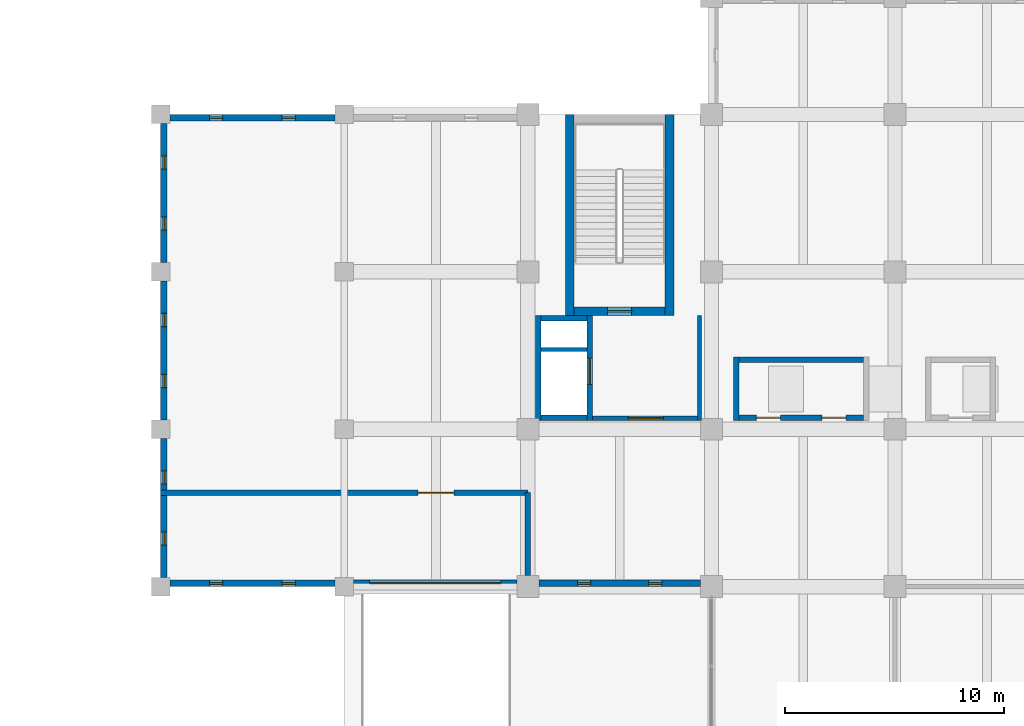
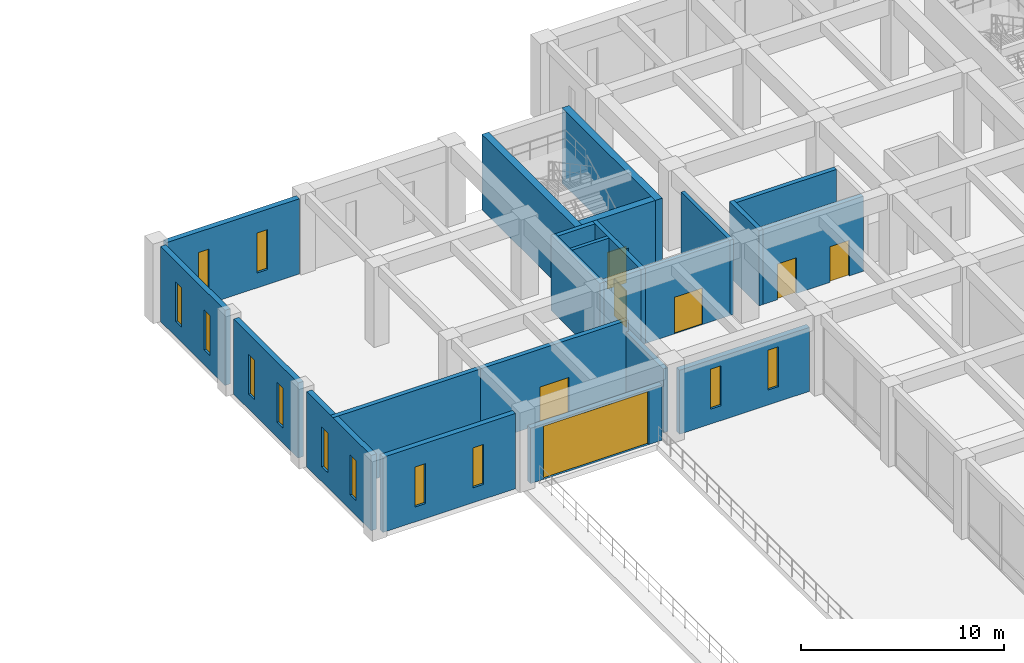
# One storey, part 29 of 49: 23 walls, 12 windows, 7 doors, 19 openings.
"""IFC4 building model written with IfcOpenShell, lengths in metres."""

from ifc_helpers import new_model, si_unit, direction, frame, frame_2d, origin, place, context, subcontext, project, spatial, rectangle, extrude, material, layer, layer_set, type_object, element, fill, save


model = new_model("IFC4")

# Units and contexts
model_context = context("Model", 3, precision=1e-05, world=origin(), true_north=direction((0.0, 1.0)))
body_context = subcontext(model_context, "Body", "Model", "MODEL_VIEW")
ifc_project = project(units=[si_unit("LENGTHUNIT", "METRE"), si_unit("AREAUNIT", "SQUARE_METRE"), si_unit("VOLUMEUNIT", "CUBIC_METRE"), si_unit("PLANEANGLEUNIT", "RADIAN"), si_unit("MASSUNIT", "GRAM", prefix="KILO")], contexts=[model_context])

# Site, building, storey
site_placement = place(None, origin())
site = spatial("IfcSite", under=ifc_project, at=site_placement, CompositionType="ELEMENT")
building_placement = place(site_placement, origin())
building = spatial("IfcBuilding", under=site, at=building_placement, Name="Kenerak Square Central Library", CompositionType="ELEMENT")
storey_placement = place(building_placement, origin())
storey = spatial("IfcBuildingStorey", under=building, at=storey_placement, Name="L00", CompositionType="ELEMENT", Elevation=0.0)

# Wall
ifc_material_1 = material(Name="Concrete C40/50", Category="concrete")
ifc_layer_1 = layer(ifc_material_1, 0.25)
ifc_layer_set_1 = layer_set([ifc_layer_1], Name="Concrete C40/50")
wall_type_1 = type_object("IfcWallType", Name="Archive Compartment Wall IW-250 C40/50", PredefinedType="SOLIDWALL", material=ifc_layer_set_1)
wall_1_placement = place(storey_placement, frame((41.60009765625, 93.10009765625, 0.0), z_axis=(0.0, 0.0, 1.0), x_axis=(1.0, 0.0, 0.0)))
element("IfcWall", 1, at=wall_1_placement, inside=storey, type_object=wall_type_1, Name="Interior Wall IW-L00-14-N2-B1", PredefinedType="SOLIDWALL", context=body_context, shape_type="SweptSolid", body=[
    extrude(rectangle(XDim=8.39990234375, YDim=0.25, at=frame_2d((4.199951171875, 0.0))), origin(), (0.0, 0.0, 1.0), 4.52490234375),
])

# Wall, opening, door
wall_2_placement = place(storey_placement, frame((50.0, 93.10009765625, 0.0), z_axis=(0.0, 0.0, 1.0), x_axis=(1.0, 0.0, 0.0)))
wall_2 = element("IfcWall", 2, at=wall_2_placement, inside=storey, type_object=wall_type_1, Name="Interior Wall IW-L00-14-N2-B2", PredefinedType="SOLIDWALL", context=body_context, shape_type="SweptSolid", body=[
    extrude(rectangle(XDim=8.39990234375, YDim=0.25, at=frame_2d((4.199951171875, 0.0))), origin(), (0.0, 0.0, 1.0), 4.52490234375),
])
opening_1_placement = place(wall_2_placement, frame((3.375, 0.0, 0.0)))
opening_1 = element("IfcOpeningElement", 3, at=opening_1_placement, cuts=wall_2, Name="Opening ID-08", PredefinedType="OPENING", context=body_context, shape_type="SweptSolid", body=[
    extrude(rectangle(XDim=1.64990234375, YDim=2.25, at=frame_2d((0.824951171875, 1.125))), frame((0.0, 0.135009765625, 0.0), z_axis=(0.0, -1.0, 0.0), x_axis=(1.0, 0.0, 0.0)), (0.0, 0.0, 1.0), 0.27001953125),
])
ifc_material_2 = material(Name="Steel S355", Category="steel")
door_type_1 = type_object("IfcDoorType", Name="Vault Fire Compartment Double Door ID-1650x2250 FD120S", OperationType="NOTDEFINED", PredefinedType="DOOR", material=ifc_material_2)
door_1_placement = place(opening_1_placement, origin())
door_1 = element("IfcDoor", 4, at=door_1_placement, inside=storey, type_object=door_type_1, Name="Ground Closed Reserve Book Stacks Door", OperationType="DOUBLE_DOOR_SINGLE_SWING", OverallHeight=2.25, OverallWidth=1.64990234375, PredefinedType="DOOR", context=body_context, shape_type="SweptSolid", body=[
    extrude(rectangle(XDim=1.64990234375, YDim=2.25, at=frame_2d((0.824951171875, 1.125))), frame((0.0, 0.02490234375, 0.0), z_axis=(0.0, -1.0, 0.0), x_axis=(1.0, 0.0, 0.0)), (0.0, 0.0, 1.0), 0.050048828125),
])
fill(opening_1, door_1)

# Wall
wall_3_placement = place(storey_placement, frame((58.39990234375, 93.10009765625, 0.0), z_axis=(0.0, 0.0, 1.0), x_axis=(0.0, -1.0, 0.0)))
element("IfcWall", 5, at=wall_3_placement, inside=storey, type_object=wall_type_1, Name="Interior Wall IW-L00-14-E4-B1", PredefinedType="SOLIDWALL", context=body_context, shape_type="SweptSolid", body=[
    extrude(rectangle(XDim=3.800048828125, YDim=0.25, at=frame_2d((1.89990234375, 0.0))), origin(), (0.0, 0.0, 1.0), 3.85009765625),
])

# Wall, openings, windows
ifc_layer_2 = layer(ifc_material_1, 0.300048828125)
ifc_layer_set_2 = layer_set([ifc_layer_2], Name="Concrete C40/50")
wall_type_2 = type_object("IfcWallType", Name="Board-Marked Brutalist Facade Wall EW-300 C40/50", PredefinedType="SOLIDWALL", material=ifc_layer_set_2)
wall_4_placement = place(storey_placement, frame((66.300048828125, 88.949951171875, 0.0), z_axis=(0.0, 0.0, 1.0), x_axis=(-1.0, 0.0, 0.0)))
wall_4 = element("IfcWall", 6, at=wall_4_placement, inside=storey, type_object=wall_type_2, Name="Exterior Facade Wall L00 0034", PredefinedType="SOLIDWALL", context=body_context, shape_type="SweptSolid", body=[
    extrude(rectangle(XDim=7.400146484375, YDim=0.300048828125, at=frame_2d((3.7001953125, 0.0))), origin(), (0.0, 0.0, 1.0), 3.85009765625),
])
opening_2_placement = place(wall_4_placement, frame((1.77197265625, 0.0, 0.89990234375)))
opening_2 = element("IfcOpeningElement", 7, at=opening_2_placement, cuts=wall_4, Name="Opening W-01", PredefinedType="OPENING", context=body_context, shape_type="SweptSolid", body=[
    extrude(rectangle(XDim=0.60009765625, YDim=2.39990234375, at=frame_2d((0.300048828125, 1.199951171875))), frame((0.0, 0.159912109375, 0.0), z_axis=(0.0, -1.0, 0.0), x_axis=(1.0, 0.0, 0.0)), (0.0, 0.0, 1.0), 0.320068359375),
])
opening_3_placement = place(wall_4_placement, frame((5.028076171875, 0.0, 0.89990234375)))
opening_3 = element("IfcOpeningElement", 8, at=opening_3_placement, cuts=wall_4, Name="Opening W-01", PredefinedType="OPENING", context=body_context, shape_type="SweptSolid", body=[
    extrude(rectangle(XDim=0.60009765625, YDim=2.39990234375, at=frame_2d((0.300048828125, 1.199951171875))), frame((0.0, 0.159912109375, 0.0), z_axis=(0.0, -1.0, 0.0), x_axis=(1.0, 0.0, 0.0)), (0.0, 0.0, 1.0), 0.320068359375),
])
ifc_material_3 = material(Name="Solar-control low-E laminated double glazing", Category="glass")
window_type = type_object("IfcWindowType", Name="UV-Filtered Stack Slot Window W-01 600x2400", PartitioningType="SINGLE_PANEL", PredefinedType="WINDOW", material=ifc_material_3)
window_1_placement = place(opening_2_placement, origin())
window_1 = element("IfcWindow", 9, at=window_1_placement, inside=storey, type_object=window_type, Name="Window W-01 L00 0002", OverallHeight=2.39990234375, OverallWidth=0.60009765625, PartitioningType="SINGLE_PANEL", PredefinedType="WINDOW", context=body_context, shape_type="SweptSolid", body=[
    extrude(rectangle(XDim=0.60009765625, YDim=2.39990234375, at=frame_2d((0.300048828125, 1.199951171875))), frame((0.0, 0.030029296875, 0.0), z_axis=(0.0, -1.0, 0.0), x_axis=(1.0, 0.0, 0.0)), (0.0, 0.0, 1.0), 0.06005859375),
])
fill(opening_2, window_1)
window_2_placement = place(opening_3_placement, origin())
window_2 = element("IfcWindow", 10, at=window_2_placement, inside=storey, type_object=window_type, Name="Window W-01 L00 0003", OverallHeight=2.39990234375, OverallWidth=0.60009765625, PartitioningType="SINGLE_PANEL", PredefinedType="WINDOW", context=body_context, shape_type="SweptSolid", body=[
    extrude(rectangle(XDim=0.60009765625, YDim=2.39990234375, at=frame_2d((0.300048828125, 1.199951171875))), frame((0.0, 0.030029296875, 0.0), z_axis=(0.0, -1.0, 0.0), x_axis=(1.0, 0.0, 0.0)), (0.0, 0.0, 1.0), 0.06005859375),
])
fill(opening_3, window_2)

# Wall, opening, door
wall_5_placement = place(storey_placement, frame((57.89990234375, 88.949951171875, 0.0), z_axis=(0.0, 0.0, 1.0), x_axis=(-1.0, 0.0, 0.0)))
wall_5 = element("IfcWall", 11, at=wall_5_placement, inside=storey, type_object=wall_type_2, Name="Exterior Facade Wall L00 0035", PredefinedType="SOLIDWALL", context=body_context, shape_type="SweptSolid", body=[
    extrude(rectangle(XDim=7.474853515625, YDim=0.300048828125, at=frame_2d((3.7373046875, 0.0))), origin(), (0.0, 0.0, 1.0), 3.324951171875),
])
opening_4_placement = place(wall_5_placement, frame((0.737548828125, 0.0, 0.0)))
opening_4 = element("IfcOpeningElement", 12, at=opening_4_placement, cuts=wall_5, Name="Opening VG-01", PredefinedType="OPENING", context=body_context, shape_type="SweptSolid", body=[
    extrude(rectangle(XDim=6.0, YDim=3.199951171875, at=frame_2d((3.0, 1.60009765625))), frame((0.0, 0.159912109375, 0.0), z_axis=(0.0, -1.0, 0.0), x_axis=(1.0, 0.0, 0.0)), (0.0, 0.0, 1.0), 0.320068359375),
])
door_type_2 = type_object("IfcDoorType", Name="Car Park Ramp Roller Shutter Gate VG-6000x3200", OperationType="NOTDEFINED", PredefinedType="GATE", material=ifc_material_2)
door_2_placement = place(opening_4_placement, origin())
door_2 = element("IfcDoor", 13, at=door_2_placement, inside=storey, type_object=door_type_2, Name="Car Park Vehicle Ramp Roller Shutter Gate VG-01", OperationType="ROLLINGUP", OverallHeight=3.199951171875, OverallWidth=6.0, PredefinedType="GATE", context=body_context, shape_type="SweptSolid", body=[
    extrude(rectangle(XDim=6.0, YDim=3.199951171875, at=frame_2d((3.0, 1.60009765625))), frame((0.0, 0.02490234375, 0.0), z_axis=(0.0, -1.0, 0.0), x_axis=(1.0, 0.0, 0.0)), (0.0, 0.0, 1.0), 0.050048828125),
])
fill(opening_4, door_2)

# Wall, openings, windows
wall_6_placement = place(storey_placement, frame((49.574951171875, 88.949951171875, 0.0), z_axis=(0.0, 0.0, 1.0), x_axis=(-1.0, 0.0, 0.0)))
wall_6 = element("IfcWall", 14, at=wall_6_placement, inside=storey, type_object=wall_type_2, Name="Exterior Facade Wall L00 0036", PredefinedType="SOLIDWALL", context=body_context, shape_type="SweptSolid", body=[
    extrude(rectangle(XDim=7.550048828125, YDim=0.300048828125, at=frame_2d((3.77490234375, 0.0))), origin(), (0.0, 0.0, 1.0), 4.52490234375),
])
opening_5_placement = place(wall_6_placement, frame((1.81396484375, 0.0, 0.89990234375)))
opening_5 = element("IfcOpeningElement", 15, at=opening_5_placement, cuts=wall_6, Name="Opening W-01", PredefinedType="OPENING", context=body_context, shape_type="SweptSolid", body=[
    extrude(rectangle(XDim=0.60009765625, YDim=2.39990234375, at=frame_2d((0.300048828125, 1.199951171875))), frame((0.0, 0.159912109375, 0.0), z_axis=(0.0, -1.0, 0.0), x_axis=(1.0, 0.0, 0.0)), (0.0, 0.0, 1.0), 0.320068359375),
])
opening_6_placement = place(wall_6_placement, frame((5.135986328125, 0.0, 0.89990234375)))
opening_6 = element("IfcOpeningElement", 16, at=opening_6_placement, cuts=wall_6, Name="Opening W-01", PredefinedType="OPENING", context=body_context, shape_type="SweptSolid", body=[
    extrude(rectangle(XDim=0.60009765625, YDim=2.39990234375, at=frame_2d((0.300048828125, 1.199951171875))), frame((0.0, 0.159912109375, 0.0), z_axis=(0.0, -1.0, 0.0), x_axis=(1.0, 0.0, 0.0)), (0.0, 0.0, 1.0), 0.320068359375),
])
window_3_placement = place(opening_5_placement, origin())
window_3 = element("IfcWindow", 17, at=window_3_placement, inside=storey, type_object=window_type, Name="Window W-01 L00 0004", OverallHeight=2.39990234375, OverallWidth=0.60009765625, PartitioningType="SINGLE_PANEL", PredefinedType="WINDOW", context=body_context, shape_type="SweptSolid", body=[
    extrude(rectangle(XDim=0.60009765625, YDim=2.39990234375, at=frame_2d((0.300048828125, 1.199951171875))), frame((0.0, 0.030029296875, 0.0), z_axis=(0.0, -1.0, 0.0), x_axis=(1.0, 0.0, 0.0)), (0.0, 0.0, 1.0), 0.06005859375),
])
fill(opening_5, window_3)
window_4_placement = place(opening_6_placement, origin())
window_4 = element("IfcWindow", 18, at=window_4_placement, inside=storey, type_object=window_type, Name="Window W-01 L00 0005", OverallHeight=2.39990234375, OverallWidth=0.60009765625, PartitioningType="SINGLE_PANEL", PredefinedType="WINDOW", context=body_context, shape_type="SweptSolid", body=[
    extrude(rectangle(XDim=0.60009765625, YDim=2.39990234375, at=frame_2d((0.300048828125, 1.199951171875))), frame((0.0, 0.030029296875, 0.0), z_axis=(0.0, -1.0, 0.0), x_axis=(1.0, 0.0, 0.0)), (0.0, 0.0, 1.0), 0.06005859375),
])
fill(opening_6, window_4)

wall_7_placement = place(storey_placement, frame((41.75, 89.22509765625, 0.0), z_axis=(0.0, 0.0, 1.0), x_axis=(0.0, 1.0, 0.0)))
wall_7 = element("IfcWall", 19, at=wall_7_placement, inside=storey, type_object=wall_type_2, Name="Exterior Facade Wall L00 0037", PredefinedType="SOLIDWALL", context=body_context, shape_type="SweptSolid", body=[
    extrude(rectangle(XDim=6.349853515625, YDim=0.300048828125, at=frame_2d((3.1748046875, 0.0))), origin(), (0.0, 0.0, 1.0), 4.52490234375),
])
opening_7_placement = place(wall_7_placement, frame((1.47802734375, 0.0, 0.89990234375)))
opening_7 = element("IfcOpeningElement", 20, at=opening_7_placement, cuts=wall_7, Name="Opening W-01", PredefinedType="OPENING", context=body_context, shape_type="SweptSolid", body=[
    extrude(rectangle(XDim=0.60009765625, YDim=2.39990234375, at=frame_2d((0.300048828125, 1.199951171875))), frame((0.0, 0.159912109375, 0.0), z_axis=(0.0, -1.0, 0.0), x_axis=(1.0, 0.0, 0.0)), (0.0, 0.0, 1.0), 0.320068359375),
])
opening_8_placement = place(wall_7_placement, frame((4.27197265625, 0.0, 0.89990234375)))
opening_8 = element("IfcOpeningElement", 21, at=opening_8_placement, cuts=wall_7, Name="Opening W-01", PredefinedType="OPENING", context=body_context, shape_type="SweptSolid", body=[
    extrude(rectangle(XDim=0.60009765625, YDim=2.39990234375, at=frame_2d((0.300048828125, 1.199951171875))), frame((0.0, 0.159912109375, 0.0), z_axis=(0.0, -1.0, 0.0), x_axis=(1.0, 0.0, 0.0)), (0.0, 0.0, 1.0), 0.320068359375),
])
window_5_placement = place(opening_7_placement, origin())
window_5 = element("IfcWindow", 22, at=window_5_placement, inside=storey, type_object=window_type, Name="Window W-01 L00 0006", OverallHeight=2.39990234375, OverallWidth=0.60009765625, PartitioningType="SINGLE_PANEL", PredefinedType="WINDOW", context=body_context, shape_type="SweptSolid", body=[
    extrude(rectangle(XDim=0.60009765625, YDim=2.39990234375, at=frame_2d((0.300048828125, 1.199951171875))), frame((0.0, 0.030029296875, 0.0), z_axis=(0.0, -1.0, 0.0), x_axis=(1.0, 0.0, 0.0)), (0.0, 0.0, 1.0), 0.06005859375),
])
fill(opening_7, window_5)
window_6_placement = place(opening_8_placement, origin())
window_6 = element("IfcWindow", 23, at=window_6_placement, inside=storey, type_object=window_type, Name="Window W-01 L00 0007", OverallHeight=2.39990234375, OverallWidth=0.60009765625, PartitioningType="SINGLE_PANEL", PredefinedType="WINDOW", context=body_context, shape_type="SweptSolid", body=[
    extrude(rectangle(XDim=0.60009765625, YDim=2.39990234375, at=frame_2d((0.300048828125, 1.199951171875))), frame((0.0, 0.030029296875, 0.0), z_axis=(0.0, -1.0, 0.0), x_axis=(1.0, 0.0, 0.0)), (0.0, 0.0, 1.0), 0.06005859375),
])
fill(opening_8, window_6)

wall_8_placement = place(storey_placement, frame((41.75, 96.425048828125, 0.0), z_axis=(0.0, 0.0, 1.0), x_axis=(0.0, 1.0, 0.0)))
wall_8 = element("IfcWall", 24, at=wall_8_placement, inside=storey, type_object=wall_type_2, Name="Exterior Facade Wall L00 0038", PredefinedType="SOLIDWALL", context=body_context, shape_type="SweptSolid", body=[
    extrude(rectangle(XDim=6.349853515625, YDim=0.300048828125, at=frame_2d((3.1748046875, 0.0))), origin(), (0.0, 0.0, 1.0), 4.52490234375),
])
opening_9_placement = place(wall_8_placement, frame((1.47802734375, 0.0, 0.89990234375)))
opening_9 = element("IfcOpeningElement", 25, at=opening_9_placement, cuts=wall_8, Name="Opening W-01", PredefinedType="OPENING", context=body_context, shape_type="SweptSolid", body=[
    extrude(rectangle(XDim=0.60009765625, YDim=2.39990234375, at=frame_2d((0.300048828125, 1.199951171875))), frame((0.0, 0.159912109375, 0.0), z_axis=(0.0, -1.0, 0.0), x_axis=(1.0, 0.0, 0.0)), (0.0, 0.0, 1.0), 0.320068359375),
])
opening_10_placement = place(wall_8_placement, frame((4.27197265625, 0.0, 0.89990234375)))
opening_10 = element("IfcOpeningElement", 26, at=opening_10_placement, cuts=wall_8, Name="Opening W-01", PredefinedType="OPENING", context=body_context, shape_type="SweptSolid", body=[
    extrude(rectangle(XDim=0.60009765625, YDim=2.39990234375, at=frame_2d((0.300048828125, 1.199951171875))), frame((0.0, 0.159912109375, 0.0), z_axis=(0.0, -1.0, 0.0), x_axis=(1.0, 0.0, 0.0)), (0.0, 0.0, 1.0), 0.320068359375),
])
window_7_placement = place(opening_9_placement, origin())
window_7 = element("IfcWindow", 27, at=window_7_placement, inside=storey, type_object=window_type, Name="Window W-01 L00 0008", OverallHeight=2.39990234375, OverallWidth=0.60009765625, PartitioningType="SINGLE_PANEL", PredefinedType="WINDOW", context=body_context, shape_type="SweptSolid", body=[
    extrude(rectangle(XDim=0.60009765625, YDim=2.39990234375, at=frame_2d((0.300048828125, 1.199951171875))), frame((0.0, 0.030029296875, 0.0), z_axis=(0.0, -1.0, 0.0), x_axis=(1.0, 0.0, 0.0)), (0.0, 0.0, 1.0), 0.06005859375),
])
fill(opening_9, window_7)
window_8_placement = place(opening_10_placement, origin())
window_8 = element("IfcWindow", 28, at=window_8_placement, inside=storey, type_object=window_type, Name="Window W-01 L00 0009", OverallHeight=2.39990234375, OverallWidth=0.60009765625, PartitioningType="SINGLE_PANEL", PredefinedType="WINDOW", context=body_context, shape_type="SweptSolid", body=[
    extrude(rectangle(XDim=0.60009765625, YDim=2.39990234375, at=frame_2d((0.300048828125, 1.199951171875))), frame((0.0, 0.030029296875, 0.0), z_axis=(0.0, -1.0, 0.0), x_axis=(1.0, 0.0, 0.0)), (0.0, 0.0, 1.0), 0.06005859375),
])
fill(opening_10, window_8)

wall_9_placement = place(storey_placement, frame((41.75, 103.625, 0.0), z_axis=(0.0, 0.0, 1.0), x_axis=(0.0, 1.0, 0.0)))
wall_9 = element("IfcWall", 29, at=wall_9_placement, inside=storey, type_object=wall_type_2, Name="Exterior Facade Wall L00 0039", PredefinedType="SOLIDWALL", context=body_context, shape_type="SweptSolid", body=[
    extrude(rectangle(XDim=6.35009765625, YDim=0.300048828125, at=frame_2d((3.175048828125, 0.0))), origin(), (0.0, 0.0, 1.0), 4.52490234375),
])
opening_11_placement = place(wall_9_placement, frame((1.47802734375, 0.0, 0.89990234375)))
opening_11 = element("IfcOpeningElement", 30, at=opening_11_placement, cuts=wall_9, Name="Opening W-01", PredefinedType="OPENING", context=body_context, shape_type="SweptSolid", body=[
    extrude(rectangle(XDim=0.60009765625, YDim=2.39990234375, at=frame_2d((0.300048828125, 1.199951171875))), frame((0.0, 0.159912109375, 0.0), z_axis=(0.0, -1.0, 0.0), x_axis=(1.0, 0.0, 0.0)), (0.0, 0.0, 1.0), 0.320068359375),
])
opening_12_placement = place(wall_9_placement, frame((4.27197265625, 0.0, 0.89990234375)))
opening_12 = element("IfcOpeningElement", 31, at=opening_12_placement, cuts=wall_9, Name="Opening W-01", PredefinedType="OPENING", context=body_context, shape_type="SweptSolid", body=[
    extrude(rectangle(XDim=0.60009765625, YDim=2.39990234375, at=frame_2d((0.300048828125, 1.199951171875))), frame((0.0, 0.159912109375, 0.0), z_axis=(0.0, -1.0, 0.0), x_axis=(1.0, 0.0, 0.0)), (0.0, 0.0, 1.0), 0.320068359375),
])
window_9_placement = place(opening_11_placement, origin())
window_9 = element("IfcWindow", 32, at=window_9_placement, inside=storey, type_object=window_type, Name="Window W-01 L00 0010", OverallHeight=2.39990234375, OverallWidth=0.60009765625, PartitioningType="SINGLE_PANEL", PredefinedType="WINDOW", context=body_context, shape_type="SweptSolid", body=[
    extrude(rectangle(XDim=0.60009765625, YDim=2.39990234375, at=frame_2d((0.300048828125, 1.199951171875))), frame((0.0, 0.030029296875, 0.0), z_axis=(0.0, -1.0, 0.0), x_axis=(1.0, 0.0, 0.0)), (0.0, 0.0, 1.0), 0.06005859375),
])
fill(opening_11, window_9)
window_10_placement = place(opening_12_placement, origin())
window_10 = element("IfcWindow", 33, at=window_10_placement, inside=storey, type_object=window_type, Name="Window W-01 L00 0011", OverallHeight=2.39990234375, OverallWidth=0.60009765625, PartitioningType="SINGLE_PANEL", PredefinedType="WINDOW", context=body_context, shape_type="SweptSolid", body=[
    extrude(rectangle(XDim=0.60009765625, YDim=2.39990234375, at=frame_2d((0.300048828125, 1.199951171875))), frame((0.0, 0.030029296875, 0.0), z_axis=(0.0, -1.0, 0.0), x_axis=(1.0, 0.0, 0.0)), (0.0, 0.0, 1.0), 0.06005859375),
])
fill(opening_12, window_10)

wall_10_placement = place(storey_placement, frame((42.02490234375, 110.25, 0.0), z_axis=(0.0, 0.0, 1.0), x_axis=(1.0, 0.0, 0.0)))
wall_10 = element("IfcWall", 34, at=wall_10_placement, inside=storey, type_object=wall_type_2, Name="Exterior Facade Wall L00 0040", PredefinedType="SOLIDWALL", context=body_context, shape_type="SweptSolid", body=[
    extrude(rectangle(XDim=7.550048828125, YDim=0.300048828125, at=frame_2d((3.77490234375, 0.0))), origin(), (0.0, 0.0, 1.0), 4.52490234375),
])
opening_13_placement = place(wall_10_placement, frame((1.81396484375, 0.0, 0.89990234375)))
opening_13 = element("IfcOpeningElement", 35, at=opening_13_placement, cuts=wall_10, Name="Opening W-01", PredefinedType="OPENING", context=body_context, shape_type="SweptSolid", body=[
    extrude(rectangle(XDim=0.60009765625, YDim=2.39990234375, at=frame_2d((0.300048828125, 1.199951171875))), frame((0.0, 0.159912109375, 0.0), z_axis=(0.0, -1.0, 0.0), x_axis=(1.0, 0.0, 0.0)), (0.0, 0.0, 1.0), 0.320068359375),
])
opening_14_placement = place(wall_10_placement, frame((5.135986328125, 0.0, 0.89990234375)))
opening_14 = element("IfcOpeningElement", 36, at=opening_14_placement, cuts=wall_10, Name="Opening W-01", PredefinedType="OPENING", context=body_context, shape_type="SweptSolid", body=[
    extrude(rectangle(XDim=0.60009765625, YDim=2.39990234375, at=frame_2d((0.300048828125, 1.199951171875))), frame((0.0, 0.159912109375, 0.0), z_axis=(0.0, -1.0, 0.0), x_axis=(1.0, 0.0, 0.0)), (0.0, 0.0, 1.0), 0.320068359375),
])
window_11_placement = place(opening_13_placement, origin())
window_11 = element("IfcWindow", 37, at=window_11_placement, inside=storey, type_object=window_type, Name="Window W-01 L00 0012", OverallHeight=2.39990234375, OverallWidth=0.60009765625, PartitioningType="SINGLE_PANEL", PredefinedType="WINDOW", context=body_context, shape_type="SweptSolid", body=[
    extrude(rectangle(XDim=0.60009765625, YDim=2.39990234375, at=frame_2d((0.300048828125, 1.199951171875))), frame((0.0, 0.030029296875, 0.0), z_axis=(0.0, -1.0, 0.0), x_axis=(1.0, 0.0, 0.0)), (0.0, 0.0, 1.0), 0.06005859375),
])
fill(opening_13, window_11)
window_12_placement = place(opening_14_placement, origin())
window_12 = element("IfcWindow", 38, at=window_12_placement, inside=storey, type_object=window_type, Name="Window W-01 L00 0013", OverallHeight=2.39990234375, OverallWidth=0.60009765625, PartitioningType="SINGLE_PANEL", PredefinedType="WINDOW", context=body_context, shape_type="SweptSolid", body=[
    extrude(rectangle(XDim=0.60009765625, YDim=2.39990234375, at=frame_2d((0.300048828125, 1.199951171875))), frame((0.0, 0.030029296875, 0.0), z_axis=(0.0, -1.0, 0.0), x_axis=(1.0, 0.0, 0.0)), (0.0, 0.0, 1.0), 0.06005859375),
])
fill(opening_14, window_12)

# Walls
ifc_layer_3 = layer(ifc_material_1, 0.39990234375)
ifc_layer_set_3 = layer_set([ifc_layer_3], Name="Concrete C40/50")
wall_type_3 = type_object("IfcWallType", Name="Core Shear Wall CW-400 C40/50", PredefinedType="SHEAR", material=ifc_layer_set_3)
for number, where, z_axis, x_axis, name in (
    (39, (60.320068359375, 101.199951171875, 0.0), (0.0, 0.0, 1.0), (0.0, 1.0, 0.0), "Core Wall CW-C1 L00 West"),
    (40, (64.8798828125, 110.39990234375, 0.0), (0.0, 0.0, 1.0), (0.0, -1.0, 0.0), "Core Wall CW-C1 L00 East"),
):
    element("IfcWall", number, at=place(storey_placement, frame(where, z_axis=z_axis, x_axis=x_axis)), inside=storey, type_object=wall_type_3, Name=name, PredefinedType="SHEAR", context=body_context, shape_type="SweptSolid", body=[
        extrude(rectangle(XDim=9.199951171875, YDim=0.39990234375, at=frame_2d((4.60009765625, 0.0))), origin(), (0.0, 0.0, 1.0), 4.52490234375),
    ])

# Wall, opening, door
wall_11_placement = place(storey_placement, frame((64.679931640625, 101.39990234375, 0.0), z_axis=(0.0, 0.0, 1.0), x_axis=(-1.0, 0.0, 0.0)))
wall_11 = element("IfcWall", 41, at=wall_11_placement, inside=storey, type_object=wall_type_3, Name="Core Wall CW-C1 L00 South", PredefinedType="SHEAR", context=body_context, shape_type="SweptSolid", body=[
    extrude(rectangle(XDim=4.159912109375, YDim=0.39990234375, at=frame_2d((2.080078125, 0.0))), origin(), (0.0, 0.0, 1.0), 4.52490234375),
])
opening_15_placement = place(wall_11_placement, frame((1.530029296875, 0.0, 0.0)))
opening_15 = element("IfcOpeningElement", 42, at=opening_15_placement, cuts=wall_11, Name="Opening D-ST1", PredefinedType="OPENING", context=body_context, shape_type="SweptSolid", body=[
    extrude(rectangle(XDim=1.10009765625, YDim=2.199951171875, at=frame_2d((0.550048828125, 1.10009765625))), frame((0.0, 0.2099609375, 0.0), z_axis=(0.0, -1.0, 0.0), x_axis=(1.0, 0.0, 0.0)), (0.0, 0.0, 1.0), 0.419921875),
])
door_type_3 = type_object("IfcDoorType", Name="Protected Stair Fire Door FD-1100x2200 FD60S", OperationType="NOTDEFINED", PredefinedType="DOOR", material=ifc_material_2)
door_3_placement = place(opening_15_placement, frame((1.10009765625, 0.0, 0.0), z_axis=(0.0, 0.0, 1.0), x_axis=(-1.0, 0.0, 0.0)))
door_3 = element("IfcDoor", 43, at=door_3_placement, inside=storey, type_object=door_type_3, Name="Stair Door ST-01 L00", OperationType="SINGLE_SWING_LEFT", OverallHeight=2.199951171875, OverallWidth=1.10009765625, PredefinedType="DOOR", context=body_context, shape_type="SweptSolid", body=[
    extrude(rectangle(XDim=1.10009765625, YDim=2.199951171875, at=frame_2d((0.550048828125, 1.10009765625))), frame((0.0, 0.02490234375, 0.0), z_axis=(0.0, -1.0, 0.0), x_axis=(1.0, 0.0, 0.0)), (0.0, 0.0, 1.0), 0.050048828125),
])
fill(opening_15, door_3)

# Walls
ifc_layer_4 = layer(ifc_material_1, 0.199951171875)
ifc_layer_set_4 = layer_set([ifc_layer_4], Name="Concrete C40/50")
wall_type_4 = type_object("IfcWallType", Name="Lobby Compartment Wall LW-200 C40/50", PredefinedType="SOLIDWALL", material=ifc_layer_set_4)
wall_12_placement = place(storey_placement, frame((59.0, 99.64990234375, 0.0), z_axis=(0.0, 0.0, 1.0), x_axis=(1.0, 0.0, 0.0)))
element("IfcWall", 44, at=wall_12_placement, inside=storey, type_object=wall_type_4, Name="Riser Divider Wall C1 L00", PredefinedType="SOLIDWALL", context=body_context, shape_type="SweptSolid", body=[
    extrude(rectangle(XDim=2.10009765625, YDim=0.199951171875, at=frame_2d((1.050048828125, 0.0))), origin(), (0.0, 0.0, 1.0), 4.52490234375),
])
wall_13_placement = place(storey_placement, frame((66.25, 101.199951171875, 0.0), z_axis=(0.0, 0.0, 1.0), x_axis=(0.0, -1.0, 0.0)))
element("IfcWall", 45, at=wall_13_placement, inside=storey, type_object=wall_type_4, Name="Firefighting Lobby East Wall C1 L00", PredefinedType="SOLIDWALL", context=body_context, shape_type="SweptSolid", body=[
    extrude(rectangle(XDim=4.800048828125, YDim=0.199951171875, at=frame_2d((2.39990234375, 0.0))), origin(), (0.0, 0.0, 1.0), 4.52490234375),
])

# Wall, opening, door
wall_14_placement = place(storey_placement, frame((66.14990234375, 96.5, 0.0), z_axis=(0.0, 0.0, 1.0), x_axis=(-1.0, 0.0, 0.0)))
wall_14 = element("IfcWall", 46, at=wall_14_placement, inside=storey, type_object=wall_type_4, Name="Firefighting Lobby South Wall C1 L00", PredefinedType="SOLIDWALL", context=body_context, shape_type="SweptSolid", body=[
    extrude(rectangle(XDim=4.7998046875, YDim=0.199951171875, at=frame_2d((2.39990234375, 0.0))), origin(), (0.0, 0.0, 1.0), 4.52490234375),
])
opening_16_placement = place(wall_14_placement, frame((1.550048828125, 0.0, 0.0)))
opening_16 = element("IfcOpeningElement", 47, at=opening_16_placement, cuts=wall_14, Name="Opening D-FFL", PredefinedType="OPENING", context=body_context, shape_type="SweptSolid", body=[
    extrude(rectangle(XDim=1.60009765625, YDim=2.199951171875, at=frame_2d((0.800048828125, 1.10009765625))), frame((0.0, 0.10986328125, 0.0), z_axis=(0.0, -1.0, 0.0), x_axis=(1.0, 0.0, 0.0)), (0.0, 0.0, 1.0), 0.219970703125),
])
door_type_4 = type_object("IfcDoorType", Name="Firefighting Lobby Double Door FD-1600x2200 FD60S", OperationType="NOTDEFINED", PredefinedType="DOOR", material=ifc_material_2)
door_4_placement = place(opening_16_placement, frame((1.60009765625, 0.0, 0.0), z_axis=(0.0, 0.0, 1.0), x_axis=(-1.0, 0.0, 0.0)))
door_4 = element("IfcDoor", 48, at=door_4_placement, inside=storey, type_object=door_type_4, Name="Firefighting Lobby Door C1 L00", OperationType="DOUBLE_DOOR_SINGLE_SWING", OverallHeight=2.199951171875, OverallWidth=1.60009765625, PredefinedType="DOOR", context=body_context, shape_type="SweptSolid", body=[
    extrude(rectangle(XDim=1.60009765625, YDim=2.199951171875, at=frame_2d((0.800048828125, 1.10009765625))), frame((0.0, 0.02490234375, 0.0), z_axis=(0.0, -1.0, 0.0), x_axis=(1.0, 0.0, 0.0)), (0.0, 0.0, 1.0), 0.050048828125),
])
fill(opening_16, door_4)

# Wall
ifc_layer_5 = layer(ifc_material_1, 0.25)
ifc_layer_set_5 = layer_set([ifc_layer_5], Name="Concrete C40/50")
wall_type_5 = type_object("IfcWallType", Name="Shaft Enclosure Wall SW-250 C40/50", PredefinedType="SOLIDWALL", material=ifc_layer_set_5)
wall_15_placement = place(storey_placement, frame((58.875, 96.39990234375, 0.0), z_axis=(0.0, 0.0, 1.0), x_axis=(0.0, 1.0, 0.0)))
element("IfcWall", 49, at=wall_15_placement, inside=storey, type_object=wall_type_5, Name="Core Wall FLW-C1 L00 West", PredefinedType="SOLIDWALL", context=body_context, shape_type="SweptSolid", body=[
    extrude(rectangle(XDim=4.800048828125, YDim=0.25, at=frame_2d((2.39990234375, 0.0))), origin(), (0.0, 0.0, 1.0), 4.52490234375),
])

# Wall, opening, door
wall_16_placement = place(storey_placement, frame((61.22509765625, 101.199951171875, 0.0), z_axis=(0.0, 0.0, 1.0), x_axis=(0.0, -1.0, 0.0)))
wall_16 = element("IfcWall", 50, at=wall_16_placement, inside=storey, type_object=wall_type_5, Name="Core Wall FLW-C1 L00 East", PredefinedType="SOLIDWALL", context=body_context, shape_type="SweptSolid", body=[
    extrude(rectangle(XDim=4.800048828125, YDim=0.25, at=frame_2d((2.39990234375, 0.0))), origin(), (0.0, 0.0, 1.0), 4.52490234375),
])
opening_17_placement = place(wall_16_placement, frame((1.949951171875, 0.0, 0.0)))
opening_17 = element("IfcOpeningElement", 51, at=opening_17_placement, cuts=wall_16, Name="Opening LD-FL", PredefinedType="OPENING", context=body_context, shape_type="SweptSolid", body=[
    extrude(rectangle(XDim=1.199951171875, YDim=2.199951171875, at=frame_2d((0.60009765625, 1.10009765625))), frame((0.0, 0.135009765625, 0.0), z_axis=(0.0, -1.0, 0.0), x_axis=(1.0, 0.0, 0.0)), (0.0, 0.0, 1.0), 0.27001953125),
])
door_type_5 = type_object("IfcDoorType", Name="Firefighting Lift Sliding Landing Door LD-1200x2200 FD120S", OperationType="NOTDEFINED", PredefinedType="DOOR", material=ifc_material_2)
door_5_placement = place(opening_17_placement, origin())
door_5 = element("IfcDoor", 52, at=door_5_placement, inside=storey, type_object=door_type_5, Name="Firefighting Lift Landing Door FL-01 L00", OperationType="SLIDING_TO_LEFT", OverallHeight=2.199951171875, OverallWidth=1.199951171875, PredefinedType="DOOR", context=body_context, shape_type="SweptSolid", body=[
    extrude(rectangle(XDim=1.199951171875, YDim=2.199951171875, at=frame_2d((0.60009765625, 1.10009765625))), frame((0.0, 0.02490234375, 0.0), z_axis=(0.0, -1.0, 0.0), x_axis=(1.0, 0.0, 0.0)), (0.0, 0.0, 1.0), 0.050048828125),
])
fill(opening_17, door_5)

# Walls
for number, where, z_axis, x_axis, name in (
    (53, (61.10009765625, 96.52490234375, 0.0), (0.0, 0.0, 1.0), (-1.0, 0.0, 0.0), "Core Wall FLW-C1 L00 South"),
    (54, (59.0, 101.074951171875, 0.0), (0.0, 0.0, 1.0), (1.0, 0.0, 0.0), "Core Wall FLW-C1 L00 North"),
):
    element("IfcWall", number, at=place(storey_placement, frame(where, z_axis=z_axis, x_axis=x_axis)), inside=storey, type_object=wall_type_5, Name=name, PredefinedType="SOLIDWALL", context=body_context, shape_type="SweptSolid", body=[
        extrude(rectangle(XDim=2.10009765625, YDim=0.25, at=frame_2d((1.050048828125, 0.0))), origin(), (0.0, 0.0, 1.0), 4.52490234375),
    ])
wall_17_placement = place(storey_placement, frame((67.925048828125, 96.39990234375, 0.0), z_axis=(0.0, 0.0, 1.0), x_axis=(0.0, 1.0, 0.0)))
element("IfcWall", 55, at=wall_17_placement, inside=storey, type_object=wall_type_5, Name="Core Wall PLBANKW L00 West", PredefinedType="SOLIDWALL", context=body_context, shape_type="SweptSolid", body=[
    extrude(rectangle(XDim=2.900146484375, YDim=0.25, at=frame_2d((1.4501953125, 0.0))), origin(), (0.0, 0.0, 1.0), 4.52490234375),
])

# Wall, openings, doors
wall_18_placement = place(storey_placement, frame((73.75, 96.52490234375, 0.0), z_axis=(0.0, 0.0, 1.0), x_axis=(-1.0, 0.0, 0.0)))
wall_18 = element("IfcWall", 56, at=wall_18_placement, inside=storey, type_object=wall_type_5, Name="Core Wall PLBANKW L00 South", PredefinedType="SOLIDWALL", context=body_context, shape_type="SweptSolid", body=[
    extrude(rectangle(XDim=5.699951171875, YDim=0.25, at=frame_2d((2.85009765625, 0.0))), origin(), (0.0, 0.0, 1.0), 4.52490234375),
])
opening_18_placement = place(wall_18_placement, frame((3.800048828125, 0.0, 0.0)))
opening_18 = element("IfcOpeningElement", 57, at=opening_18_placement, cuts=wall_18, Name="Opening LD-PL", PredefinedType="OPENING", context=body_context, shape_type="SweptSolid", body=[
    extrude(rectangle(XDim=1.10009765625, YDim=2.14990234375, at=frame_2d((0.550048828125, 1.074951171875))), frame((0.0, 0.135009765625, 0.0), z_axis=(0.0, -1.0, 0.0), x_axis=(1.0, 0.0, 0.0)), (0.0, 0.0, 1.0), 0.27001953125),
])
opening_19_placement = place(wall_18_placement, frame((0.800048828125, 0.0, 0.0)))
opening_19 = element("IfcOpeningElement", 58, at=opening_19_placement, cuts=wall_18, Name="Opening LD-PL", PredefinedType="OPENING", context=body_context, shape_type="SweptSolid", body=[
    extrude(rectangle(XDim=1.10009765625, YDim=2.14990234375, at=frame_2d((0.550048828125, 1.074951171875))), frame((0.0, 0.135009765625, 0.0), z_axis=(0.0, -1.0, 0.0), x_axis=(1.0, 0.0, 0.0)), (0.0, 0.0, 1.0), 0.27001953125),
])
door_type_6 = type_object("IfcDoorType", Name="Passenger Lift Sliding Landing Door LD-1100x2150", OperationType="NOTDEFINED", PredefinedType="DOOR", material=ifc_material_2)
door_6_placement = place(opening_18_placement, origin())
door_6 = element("IfcDoor", 59, at=door_6_placement, inside=storey, type_object=door_type_6, Name="Passenger Lift Landing Door PL-01 L00", OperationType="SLIDING_TO_RIGHT", OverallHeight=2.14990234375, OverallWidth=1.10009765625, PredefinedType="DOOR", context=body_context, shape_type="SweptSolid", body=[
    extrude(rectangle(XDim=1.10009765625, YDim=2.14990234375, at=frame_2d((0.550048828125, 1.074951171875))), frame((0.0, 0.02490234375, 0.0), z_axis=(0.0, -1.0, 0.0), x_axis=(1.0, 0.0, 0.0)), (0.0, 0.0, 1.0), 0.050048828125),
])
fill(opening_18, door_6)
door_7_placement = place(opening_19_placement, origin())
door_7 = element("IfcDoor", 60, at=door_7_placement, inside=storey, type_object=door_type_6, Name="Passenger Lift Landing Door PL-02 L00", OperationType="SLIDING_TO_RIGHT", OverallHeight=2.14990234375, OverallWidth=1.10009765625, PredefinedType="DOOR", context=body_context, shape_type="SweptSolid", body=[
    extrude(rectangle(XDim=1.10009765625, YDim=2.14990234375, at=frame_2d((0.550048828125, 1.074951171875))), frame((0.0, 0.02490234375, 0.0), z_axis=(0.0, -1.0, 0.0), x_axis=(1.0, 0.0, 0.0)), (0.0, 0.0, 1.0), 0.050048828125),
])
fill(opening_19, door_7)

# Wall
wall_19_placement = place(storey_placement, frame((68.050048828125, 99.175048828125, 0.0), z_axis=(0.0, 0.0, 1.0), x_axis=(1.0, 0.0, 0.0)))
element("IfcWall", 61, at=wall_19_placement, inside=storey, type_object=wall_type_5, Name="Core Wall PLBANKW L00 North", PredefinedType="SOLIDWALL", context=body_context, shape_type="SweptSolid", body=[
    extrude(rectangle(XDim=5.699951171875, YDim=0.25, at=frame_2d((2.85009765625, 0.0))), origin(), (0.0, 0.0, 1.0), 4.52490234375),
])

save(model, "model.ifc")
